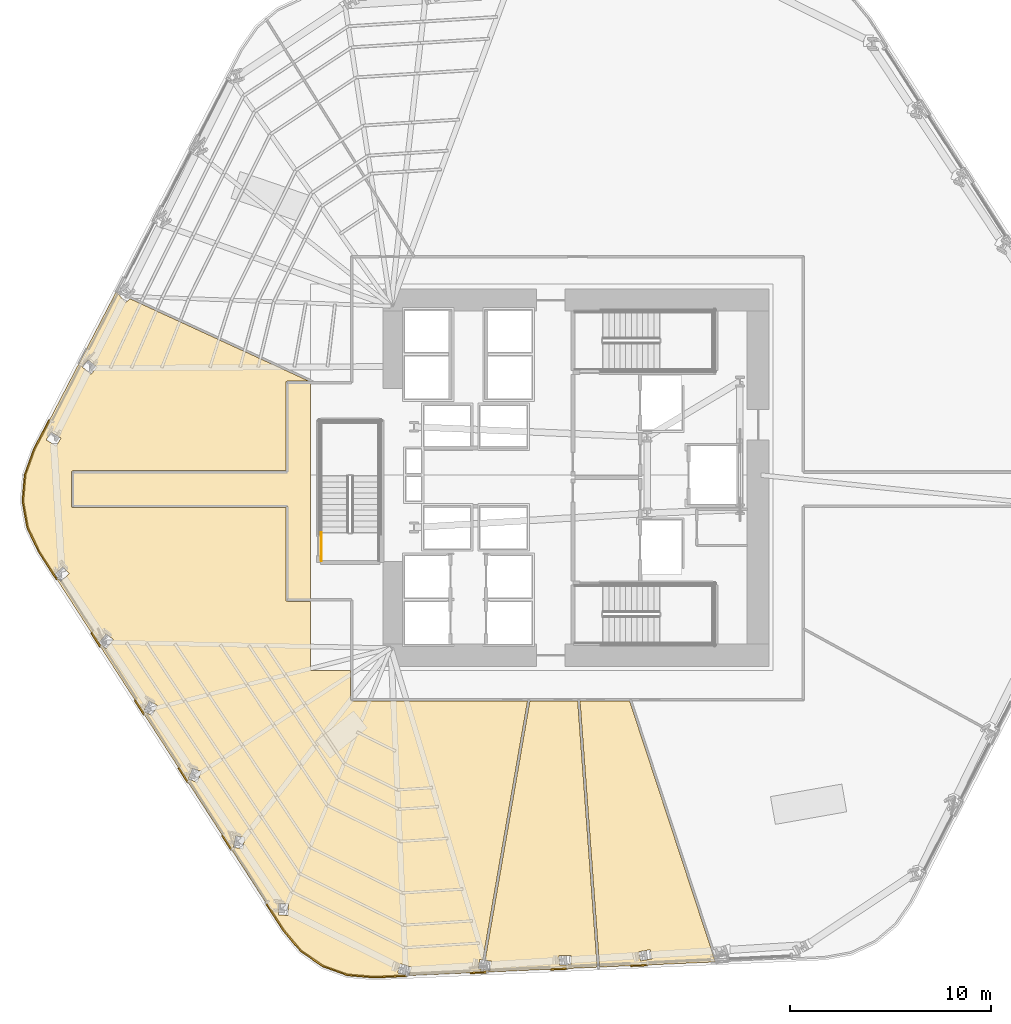
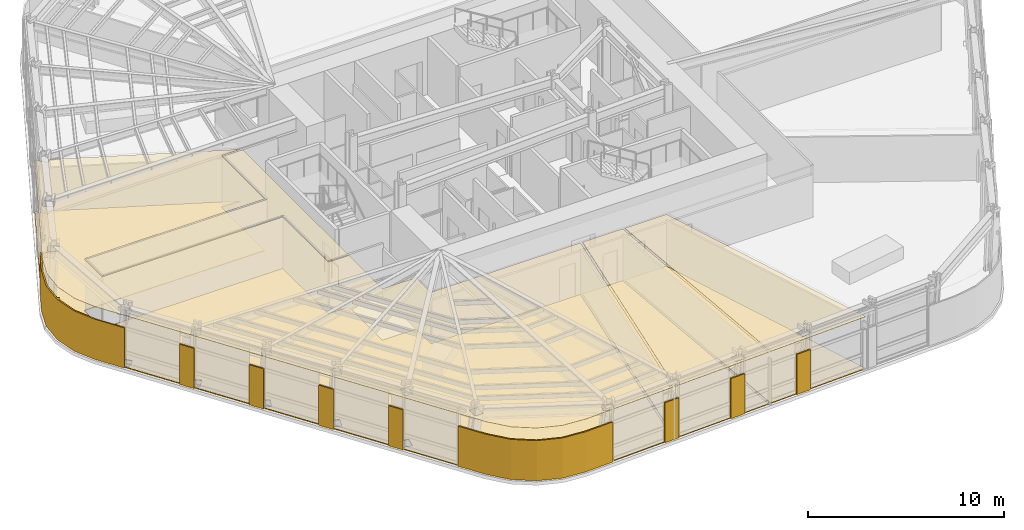
# One storey, part 10 of 15: 16 coverings, 1 railing.
"""IFC4 building model written with IfcOpenShell, lengths in metres."""

from ifc_helpers import new_model, si_unit, direction, frame, origin, origin_2d, place, context, subcontext, project, spatial, polyline, circle, outline, extrude, material, layer, layer_set, type_object, element, save


model = new_model("IFC4")

# Units and contexts
model_context = context("Model", 3, precision=1e-05, world=origin(), true_north=direction((0.0, 1.0)))
body_context = subcontext(model_context, "Body", "Model", "MODEL_VIEW")
ifc_project = project(units=[si_unit("LENGTHUNIT", "METRE"), si_unit("AREAUNIT", "SQUARE_METRE"), si_unit("VOLUMEUNIT", "CUBIC_METRE"), si_unit("PLANEANGLEUNIT", "RADIAN"), si_unit("MASSUNIT", "GRAM", prefix="KILO")], contexts=[model_context])

# Site, building, storey
site_placement = place(None, origin())
site = spatial("IfcSite", under=ifc_project, at=site_placement, CompositionType="ELEMENT")
building_placement = place(site_placement, origin())
building = spatial("IfcBuilding", under=site, at=building_placement, Name="Valkerne Bourse Tower", CompositionType="ELEMENT")
storey_placement = place(building_placement, frame((0.0, 0.0, 35.39990234375)))
storey = spatial("IfcBuildingStorey", under=building, at=storey_placement, Name="L08", CompositionType="ELEMENT", Elevation=35.39990234375)

# Coverings
ifc_material_1 = material(Name="Mineral Fiber Acoustic Ceiling Tile", Category="acoustic")
ifc_layer_1 = layer(ifc_material_1, 0.02490234375)
ifc_layer_set_1 = layer_set([ifc_layer_1], Name="Mineral Fiber Acoustic Ceiling Tile")
covering_type_1 = type_object("IfcCoveringType", Name="COV-CEIL-ACT", PredefinedType="CEILING", material=ifc_layer_set_1)
covering_1_placement = place(storey_placement, frame((0.0, 0.0, 3.22998046875)))
element("IfcCovering", 1, at=covering_1_placement, inside=storey, type_object=covering_type_1, Name="L08 Suspended Ceiling 03", PredefinedType="CEILING", context=body_context, shape_type="SweptSolid", body=[
    extrude(outline(polyline([(46.8837890625, 15.781005859375), (47.856201171875, 2.54150390625), (42.181640625, 2.289306640625), (42.205078125, 2.42529296875), (42.5244140625, 2.379638671875), (42.590087890625, 2.837646484375), (42.58642578125, 2.83837890625), (42.283935546875, 2.881591796875), (44.511962890625, 15.781005859375), (46.8837890625, 15.781005859375)]), holes=[polyline([(46.552978515625, 2.66552734375), (46.54443359375, 3.128173828125), (46.541015625, 3.12841796875), (45.966796875, 3.1171875), (45.9755859375, 2.654541015625), (45.97900390625, 2.654296875), (46.552978515625, 2.66552734375)])]), origin(), (0.0, 0.0, 1.0), 0.025146484375),
])
covering_2_placement = place(storey_placement, frame((0.0, 0.0, 3.22998046875)))
element("IfcCovering", 2, at=covering_2_placement, inside=storey, type_object=covering_type_1, Name="L08 Suspended Ceiling 04", PredefinedType="CEILING", context=body_context, shape_type="SweptSolid", body=[
    extrude(outline(polyline([(49.46484375, 15.781005859375), (53.73193359375, 2.802734375), (47.97412109375, 2.546630859375), (47.002197265625, 15.781005859375), (49.46484375, 15.781005859375)]), holes=[polyline([(50.0107421875, 2.85302734375), (50.5751953125, 2.958984375), (50.489990234375, 3.413818359375), (50.486572265625, 3.4130859375), (49.92236328125, 3.307373046875), (50.00732421875, 2.8525390625), (50.0107421875, 2.85302734375)])]), origin(), (0.0, 0.0, 1.0), 0.025146484375),
])
covering_3_placement = place(storey_placement, frame((0.0, 0.0, 3.22998046875)))
element("IfcCovering", 3, at=covering_3_placement, inside=storey, type_object=covering_type_1, Name="L08 Suspended Ceiling 07", PredefinedType="CEILING", context=body_context, shape_type="SweptSolid", body=[
    extrude(outline(polyline([(34.2099609375, 2.607177734375), (33.12646484375, 3.360107421875), (32.268310546875, 4.37548828125), (20.109619140625, 23.202392578125), (19.5439453125, 24.405029296875), (19.310302734375, 25.70361328125), (19.420654296875, 27.0185546875), (19.870849609375, 28.268798828125), (23.933837890625, 36.089111328125), (24.059814453125, 36.031005859375), (24.043701171875, 36.017333984375), (24.04248046875, 36.013916015625), (24.41845703125, 35.5771484375), (24.63818359375, 35.7646484375), (33.53173828125, 31.6689453125), (32.446533203125, 31.6689453125), (32.408203125, 31.6552734375), (32.383056640625, 31.617431640625), (32.381103515625, 27.218994140625), (21.7890625, 27.21826171875), (21.748291015625, 27.196044921875), (21.73095703125, 27.150634765625), (21.73095703125, 25.44970703125), (21.7373046875, 25.4208984375), (21.75341796875, 25.39892578125), (21.79931640625, 25.381103515625), (32.381103515625, 25.381103515625), (32.381103515625, 20.79931640625), (32.39404296875, 20.75927734375), (32.419921875, 20.73779296875), (32.449462890625, 20.73095703125), (33.60009765625, 20.73095703125), (33.60009765625, 17.300048828125), (35.5810546875, 17.300048828125), (35.5810546875, 15.849609375), (35.587890625, 15.820068359375), (35.6083984375, 15.794677734375), (35.6494140625, 15.781005859375), (44.392333984375, 15.781005859375), (42.1669921875, 2.898193359375), (42.018310546875, 2.91943359375), (41.95263671875, 2.46142578125), (41.956298828125, 2.460693359375), (42.088134765625, 2.44189453125), (42.060791015625, 2.283935546875), (38.49951171875, 2.12548828125), (38.6259765625, 2.5458984375), (38.622314453125, 2.54736328125), (38.072998046875, 2.71240234375), (37.939697265625, 2.269287109375), (37.943115234375, 2.26806640625), (38.427978515625, 2.122314453125), (36.77587890625, 2.049072265625), (35.451416015625, 2.16015625), (34.2099609375, 2.607177734375)]), holes=[polyline([(32.499755859375, 5.696533203125), (32.039306640625, 5.7080078125), (32.021728515625, 5.132080078125), (32.02490234375, 5.130126953125), (32.485595703125, 5.11865234375), (32.5029296875, 5.6943359375), (32.499755859375, 5.696533203125)]), polyline([(30.335693359375, 8.9912109375), (29.8818359375, 9.0712890625), (29.779052734375, 8.50439453125), (29.78173828125, 8.501953125), (30.235595703125, 8.422119140625), (30.33837890625, 8.989013671875), (30.335693359375, 8.9912109375)]), polyline([(28.169921875, 12.27392578125), (28.167724609375, 12.27685546875), (27.732421875, 12.428955078125), (27.539794921875, 11.885986328125), (27.5419921875, 11.883056640625), (27.977294921875, 11.73095703125), (28.169921875, 12.27392578125)]), polyline([(25.993896484375, 15.552734375), (25.9921875, 15.555908203125), (25.588134765625, 15.777587890625), (25.30859375, 15.27392578125), (25.310302734375, 15.270751953125), (25.71435546875, 15.049072265625), (25.993896484375, 15.552734375)]), polyline([(23.806884765625, 18.83251953125), (23.44384765625, 19.116455078125), (23.0869140625, 18.664306640625), (23.087890625, 18.660888671875), (23.451171875, 18.376953125), (23.80810546875, 18.8291015625), (23.806884765625, 18.83251953125)]), polyline([(21.61279296875, 22.10791015625), (21.612060546875, 22.111572265625), (21.295166015625, 22.446044921875), (20.875, 22.05224609375), (20.87548828125, 22.048583984375), (21.1923828125, 21.7138671875), (21.61279296875, 22.10791015625)]), polyline([(21.20361328125, 28.843994140625), (20.7119140625, 29.14453125), (20.469970703125, 28.752685546875), (20.469482421875, 28.7490234375), (20.961181640625, 28.448486328125), (21.203369140625, 28.840087890625), (21.20361328125, 28.843994140625)]), polyline([(22.99072265625, 32.3603515625), (22.991455078125, 32.364013671875), (22.550048828125, 32.734619140625), (22.252197265625, 32.383056640625), (22.25146484375, 32.37939453125), (22.69287109375, 32.0087890625), (22.99072265625, 32.3603515625)])]), origin(), (0.0, 0.0, 1.0), 0.025146484375),
])
ifc_material_2 = material(Name="Bronze Anodised Aluminium AA 6063-T6", Category="aluminium")
ifc_layer_2 = layer(ifc_material_2, 0.030029296875)
ifc_layer_set_2 = layer_set([ifc_layer_2], Name="Bronze Anodised Aluminium AA 6063-T6")
covering_type_2 = type_object("IfcCoveringType", Name="COV-CEIL-METAL", PredefinedType="CEILING", material=ifc_layer_set_2)
covering_4_placement = place(storey_placement, frame((0.0, 0.0, 3.22998046875)))
element("IfcCovering", 4, at=covering_4_placement, inside=storey, type_object=covering_type_2, Name="L08 Suspended Ceiling 02", PredefinedType="CEILING", context=body_context, shape_type="SweptSolid", body=[
    extrude(outline(polyline([(32.4541015625, 20.803955078125), (32.4541015625, 25.4541015625), (21.803955078125, 25.4541015625), (21.803955078125, 27.14599609375), (32.4541015625, 27.14599609375), (32.4541015625, 31.595947265625), (33.60009765625, 31.595947265625), (33.60009765625, 20.803955078125), (32.4541015625, 20.803955078125)])), origin(), (0.0, 0.0, 1.0), 0.025146484375),
])
ifc_layer_3 = layer(ifc_material_2, 0.06005859375)
ifc_layer_set_3 = layer_set([ifc_layer_3], Name="Bronze Anodised Aluminium AA 6063-T6")
covering_type_3 = type_object("IfcCoveringType", Name="COV-CRN-ALUM", PredefinedType="CLADDING", material=ifc_layer_set_3)
covering_5_placement = place(storey_placement, origin())
element("IfcCovering", 5, at=covering_5_placement, inside=storey, type_object=covering_type_3, Name="L08 Wind-Shaped Corner Aluminium Cladding 03", PredefinedType="CLADDING", context=body_context, shape_type="SweptSolid", body=[
    extrude(outline(polyline([(49.53173828125, 2.572021484375), (49.528076171875, 2.65185546875), (50.3671875, 2.689208984375), (50.370849609375, 2.609130859375), (49.53173828125, 2.572021484375)])), origin(), (0.0, 0.0, 1.0), 2.5),
])
covering_6_placement = place(storey_placement, origin())
element("IfcCovering", 6, at=covering_6_placement, inside=storey, type_object=covering_type_3, Name="L08 Wind-Shaped Corner Aluminium Cladding 04", PredefinedType="CLADDING", context=body_context, shape_type="SweptSolid", body=[
    extrude(outline(polyline([(45.539794921875, 2.39453125), (45.535888671875, 2.474365234375), (46.375, 2.51171875), (46.37890625, 2.431884765625), (45.539794921875, 2.39453125)])), origin(), (0.0, 0.0, 1.0), 2.5),
])
covering_7_placement = place(storey_placement, origin())
element("IfcCovering", 7, at=covering_7_placement, inside=storey, type_object=covering_type_3, Name="L08 Wind-Shaped Corner Aluminium Cladding 05", PredefinedType="CLADDING", context=body_context, shape_type="SweptSolid", body=[
    extrude(outline(polyline([(41.547607421875, 2.217041015625), (41.543701171875, 2.296875), (42.383056640625, 2.334228515625), (42.38671875, 2.25439453125), (41.547607421875, 2.217041015625)])), origin(), (0.0, 0.0, 1.0), 2.5),
])
covering_8_placement = place(storey_placement, origin())
element("IfcCovering", 8, at=covering_8_placement, inside=storey, type_object=covering_type_3, Name="L08 Wind-Shaped Corner Aluminium Cladding 06", PredefinedType="CLADDING", context=body_context, shape_type="SweptSolid", body=[
    extrude(outline(polyline([(36.775146484375, 2.0048828125), (35.44189453125, 2.11669921875), (34.189697265625, 2.567626953125), (33.096435546875, 3.327392578125), (32.23291015625, 4.349365234375), (31.353515625, 5.711181640625), (31.4208984375, 5.75439453125), (32.29736328125, 4.397216796875), (33.15087890625, 3.38720703125), (34.2265625, 2.639404296875), (35.459228515625, 2.19580078125), (36.776611328125, 2.0849609375), (38.390869140625, 2.15673828125), (38.394775390625, 2.076904296875), (36.775146484375, 2.0048828125)])), origin(), (0.0, 0.0, 1.0), 2.5),
])
covering_9_placement = place(storey_placement, origin())
element("IfcCovering", 9, at=covering_9_placement, inside=storey, type_object=covering_type_3, Name="L08 Wind-Shaped Corner Aluminium Cladding 07", PredefinedType="CLADDING", context=body_context, shape_type="SweptSolid", body=[
    extrude(outline(polyline([(29.185546875, 9.068115234375), (29.2529296875, 9.111083984375), (29.70849609375, 8.405517578125), (29.641357421875, 8.3623046875), (29.185546875, 9.068115234375)])), origin(), (0.0, 0.0, 1.0), 2.5),
])
covering_10_placement = place(storey_placement, origin())
element("IfcCovering", 10, at=covering_10_placement, inside=storey, type_object=covering_type_3, Name="L08 Wind-Shaped Corner Aluminium Cladding 08", PredefinedType="CLADDING", context=body_context, shape_type="SweptSolid", body=[
    extrude(outline(polyline([(27.017578125, 12.4248046875), (27.0849609375, 12.468017578125), (27.540771484375, 11.762451171875), (27.473388671875, 11.71923828125), (27.017578125, 12.4248046875)])), origin(), (0.0, 0.0, 1.0), 2.5),
])
covering_11_placement = place(storey_placement, origin())
element("IfcCovering", 11, at=covering_11_placement, inside=storey, type_object=covering_type_3, Name="L08 Wind-Shaped Corner Aluminium Cladding 09", PredefinedType="CLADDING", context=body_context, shape_type="SweptSolid", body=[
    extrude(outline(polyline([(24.849853515625, 15.781494140625), (24.9169921875, 15.82470703125), (25.372802734375, 15.119384765625), (25.305419921875, 15.075927734375), (24.849853515625, 15.781494140625)])), origin(), (0.0, 0.0, 1.0), 2.5),
])
covering_12_placement = place(storey_placement, origin())
element("IfcCovering", 12, at=covering_12_placement, inside=storey, type_object=covering_type_3, Name="L08 Wind-Shaped Corner Aluminium Cladding 10", PredefinedType="CLADDING", context=body_context, shape_type="SweptSolid", body=[
    extrude(outline(polyline([(22.681884765625, 19.138427734375), (22.749267578125, 19.181640625), (23.205078125, 18.47607421875), (23.1376953125, 18.432861328125), (22.681884765625, 19.138427734375)])), origin(), (0.0, 0.0, 1.0), 2.5),
])
covering_13_placement = place(storey_placement, origin())
element("IfcCovering", 13, at=covering_13_placement, inside=storey, type_object=covering_type_3, Name="L08 Wind-Shaped Corner Aluminium Cladding 11", PredefinedType="CLADDING", context=body_context, shape_type="SweptSolid", body=[
    extrude(outline(polyline([(20.071044921875, 23.18115234375), (19.501708984375, 24.3916015625), (19.26611328125, 25.70166015625), (19.377197265625, 27.028076171875), (19.830322265625, 28.28662109375), (20.593994140625, 29.75634765625), (20.665283203125, 29.7197265625), (19.90380859375, 28.25439453125), (19.4560546875, 27.0107421875), (19.3466796875, 25.705322265625), (19.57861328125, 24.416015625), (20.14111328125, 23.219970703125), (21.037109375, 21.8330078125), (20.9697265625, 21.789794921875), (20.071044921875, 23.18115234375)])), origin(), (0.0, 0.0, 1.0), 2.5),
])
ifc_material_3 = material(Name="Galvanised Painted Steel", Category="steel")
ifc_layer_4 = layer(ifc_material_3, 0.044921875)
ifc_layer_set_4 = layer_set([ifc_layer_4], Name="Galvanised Painted Steel")
covering_type_4 = type_object("IfcCoveringType", Name="COV-FLR-RAF", PredefinedType="FLOORING", material=ifc_layer_set_4)
covering_14_placement = place(storey_placement, origin())
element("IfcCovering", 14, at=covering_14_placement, inside=storey, type_object=covering_type_4, Name="L08 Floor Finish 07", PredefinedType="FLOORING", context=body_context, shape_type="SweptSolid", body=[
    extrude(outline(polyline([(34.2099609375, 2.607177734375), (33.12646484375, 3.360107421875), (32.268310546875, 4.37548828125), (20.109619140625, 23.202392578125), (19.5439453125, 24.405029296875), (19.310302734375, 25.70361328125), (19.420654296875, 27.0185546875), (19.870849609375, 28.268798828125), (23.933837890625, 36.089111328125), (24.059814453125, 36.031005859375), (24.043701171875, 36.017333984375), (24.04248046875, 36.013916015625), (24.41845703125, 35.5771484375), (24.63818359375, 35.7646484375), (33.53173828125, 31.6689453125), (32.446533203125, 31.6689453125), (32.408203125, 31.6552734375), (32.383056640625, 31.617431640625), (32.381103515625, 27.218994140625), (21.7890625, 27.21826171875), (21.748291015625, 27.196044921875), (21.73095703125, 27.150634765625), (21.73095703125, 25.44970703125), (21.7373046875, 25.4208984375), (21.75341796875, 25.39892578125), (21.79931640625, 25.381103515625), (32.381103515625, 25.381103515625), (32.381103515625, 20.79931640625), (32.39404296875, 20.75927734375), (32.419921875, 20.73779296875), (32.449462890625, 20.73095703125), (33.60009765625, 20.73095703125), (33.60009765625, 17.300048828125), (35.5810546875, 17.300048828125), (35.5810546875, 15.849609375), (35.587890625, 15.820068359375), (35.6083984375, 15.794677734375), (35.6494140625, 15.781005859375), (44.392333984375, 15.781005859375), (42.1669921875, 2.898193359375), (42.018310546875, 2.91943359375), (41.95263671875, 2.46142578125), (41.956298828125, 2.460693359375), (42.088134765625, 2.44189453125), (42.060791015625, 2.283935546875), (38.49951171875, 2.12548828125), (38.6259765625, 2.5458984375), (38.622314453125, 2.54736328125), (38.072998046875, 2.71240234375), (37.939697265625, 2.269287109375), (37.943115234375, 2.26806640625), (38.427978515625, 2.122314453125), (36.77587890625, 2.049072265625), (35.451416015625, 2.16015625), (34.2099609375, 2.607177734375)]), holes=[polyline([(32.499755859375, 5.696533203125), (32.039306640625, 5.7080078125), (32.021728515625, 5.132080078125), (32.02490234375, 5.130126953125), (32.485595703125, 5.11865234375), (32.5029296875, 5.6943359375), (32.499755859375, 5.696533203125)]), polyline([(30.335693359375, 8.9912109375), (29.8818359375, 9.0712890625), (29.779052734375, 8.50439453125), (29.78173828125, 8.501953125), (30.235595703125, 8.422119140625), (30.33837890625, 8.989013671875), (30.335693359375, 8.9912109375)]), polyline([(28.169921875, 12.27392578125), (28.167724609375, 12.27685546875), (27.732421875, 12.428955078125), (27.539794921875, 11.885986328125), (27.5419921875, 11.883056640625), (27.977294921875, 11.73095703125), (28.169921875, 12.27392578125)]), polyline([(25.993896484375, 15.552734375), (25.9921875, 15.555908203125), (25.588134765625, 15.777587890625), (25.30859375, 15.27392578125), (25.310302734375, 15.270751953125), (25.71435546875, 15.049072265625), (25.993896484375, 15.552734375)]), polyline([(23.806884765625, 18.83251953125), (23.44384765625, 19.116455078125), (23.0869140625, 18.664306640625), (23.087890625, 18.660888671875), (23.451171875, 18.376953125), (23.80810546875, 18.8291015625), (23.806884765625, 18.83251953125)]), polyline([(21.61279296875, 22.10791015625), (21.612060546875, 22.111572265625), (21.295166015625, 22.446044921875), (20.875, 22.05224609375), (20.87548828125, 22.048583984375), (21.1923828125, 21.7138671875), (21.61279296875, 22.10791015625)]), polyline([(21.20361328125, 28.843994140625), (20.7119140625, 29.14453125), (20.469970703125, 28.752685546875), (20.469482421875, 28.7490234375), (20.961181640625, 28.448486328125), (21.203369140625, 28.840087890625), (21.20361328125, 28.843994140625)]), polyline([(22.99072265625, 32.3603515625), (22.991455078125, 32.364013671875), (22.550048828125, 32.734619140625), (22.252197265625, 32.383056640625), (22.25146484375, 32.37939453125), (22.69287109375, 32.0087890625), (22.99072265625, 32.3603515625)])]), origin(), (0.0, 0.0, 1.0), 0.045166015625),
])
ifc_material_4 = material(Name="Polished Granite Stone", Category="masonry")
ifc_layer_5 = layer(ifc_material_4, 0.030029296875)
ifc_layer_set_5 = layer_set([ifc_layer_5], Name="Polished Granite Stone")
covering_type_5 = type_object("IfcCoveringType", Name="COV-FLR-TERRAZZO", PredefinedType="FLOORING", material=ifc_layer_set_5)
covering_15_placement = place(storey_placement, origin())
element("IfcCovering", 15, at=covering_15_placement, inside=storey, type_object=covering_type_5, Name="L08 Floor Finish 03", PredefinedType="FLOORING", context=body_context, shape_type="SweptSolid", body=[
    extrude(outline(polyline([(46.8837890625, 15.781005859375), (47.856201171875, 2.54150390625), (42.181640625, 2.289306640625), (42.205078125, 2.42529296875), (42.5244140625, 2.379638671875), (42.590087890625, 2.837646484375), (42.58642578125, 2.83837890625), (42.283935546875, 2.881591796875), (44.511962890625, 15.781005859375), (46.8837890625, 15.781005859375)]), holes=[polyline([(46.552978515625, 2.66552734375), (46.54443359375, 3.128173828125), (46.541015625, 3.12841796875), (45.966796875, 3.1171875), (45.9755859375, 2.654541015625), (45.97900390625, 2.654296875), (46.552978515625, 2.66552734375)])]), origin(), (0.0, 0.0, 1.0), 0.030029296875),
])
covering_16_placement = place(storey_placement, origin())
element("IfcCovering", 16, at=covering_16_placement, inside=storey, type_object=covering_type_5, Name="L08 Floor Finish 04", PredefinedType="FLOORING", context=body_context, shape_type="SweptSolid", body=[
    extrude(outline(polyline([(49.46484375, 15.781005859375), (53.73193359375, 2.802734375), (47.97412109375, 2.546630859375), (47.002197265625, 15.781005859375), (49.46484375, 15.781005859375)]), holes=[polyline([(50.0107421875, 2.85302734375), (50.5751953125, 2.958984375), (50.489990234375, 3.413818359375), (50.486572265625, 3.4130859375), (49.92236328125, 3.307373046875), (50.00732421875, 2.8525390625), (50.0107421875, 2.85302734375)])]), origin(), (0.0, 0.0, 1.0), 0.030029296875),
])

# Railing
railing_type = type_object("IfcRailingType", Name="RLG-ST-GUARD-1120", PredefinedType="GUARDRAIL", material=ifc_material_3)
railing_placement = place(storey_placement, frame((34.14990234375, 22.75, 0.0)))
element("IfcRailing", 17, at=railing_placement, inside=storey, type_object=railing_type, Name="L08 ST-3 stair guard 9", PredefinedType="GUARDRAIL", context=body_context, shape_type="SweptSolid", body=[
    extrude(circle(Radius=0.02392578125, at=origin_2d()), frame((0.0, 0.0, 1.09619140625), z_axis=(0.0, 1.0, 0.0), x_axis=(-1.0, 0.0, 0.0)), (0.0, 0.0, 1.0), 1.39990234375),
    extrude(circle(Radius=0.02099609375, at=origin_2d()), origin(), (0.0, 0.0, 1.0), 1.072021484375),
    extrude(circle(Radius=0.02099609375, at=origin_2d()), frame((0.0, 0.699951171875, 0.0)), (0.0, 0.0, 1.0), 1.072021484375),
    extrude(circle(Radius=0.02099609375, at=origin_2d()), frame((0.0, 1.39990234375, 0.0)), (0.0, 0.0, 1.0), 1.072021484375),
])

save(model, "model.ifc")
